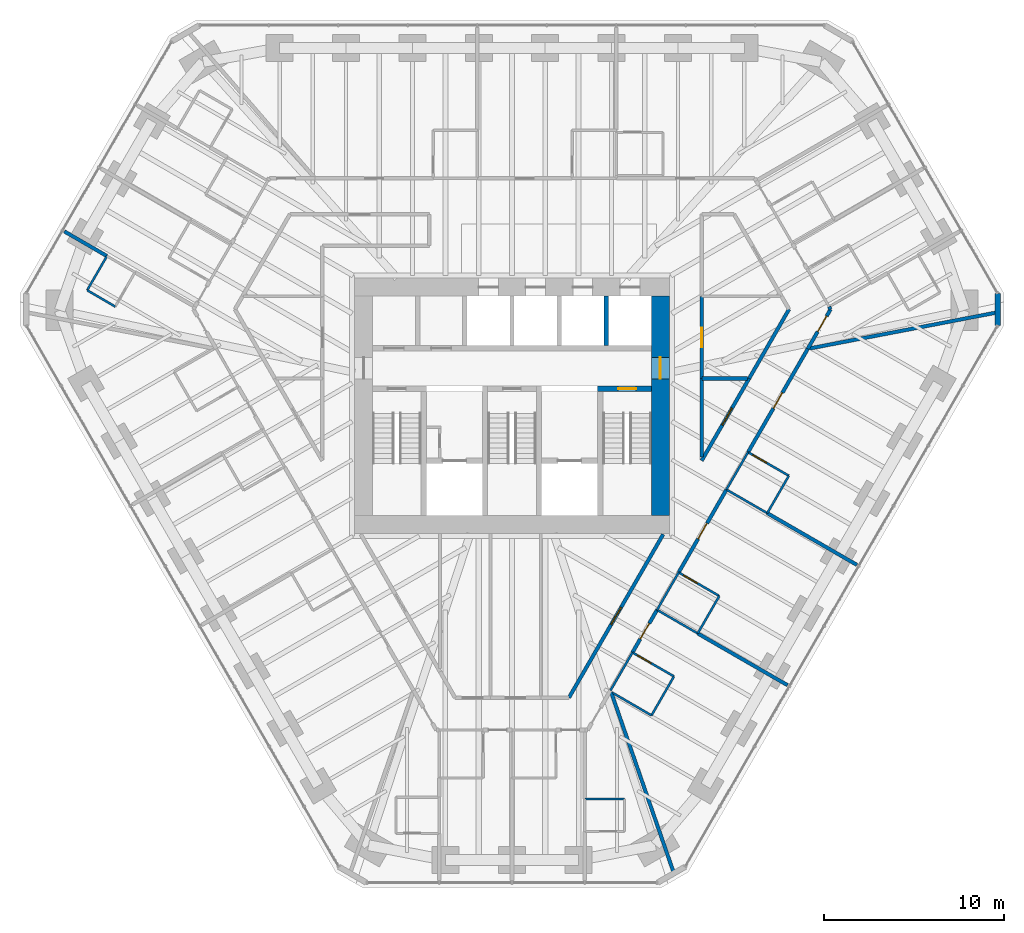
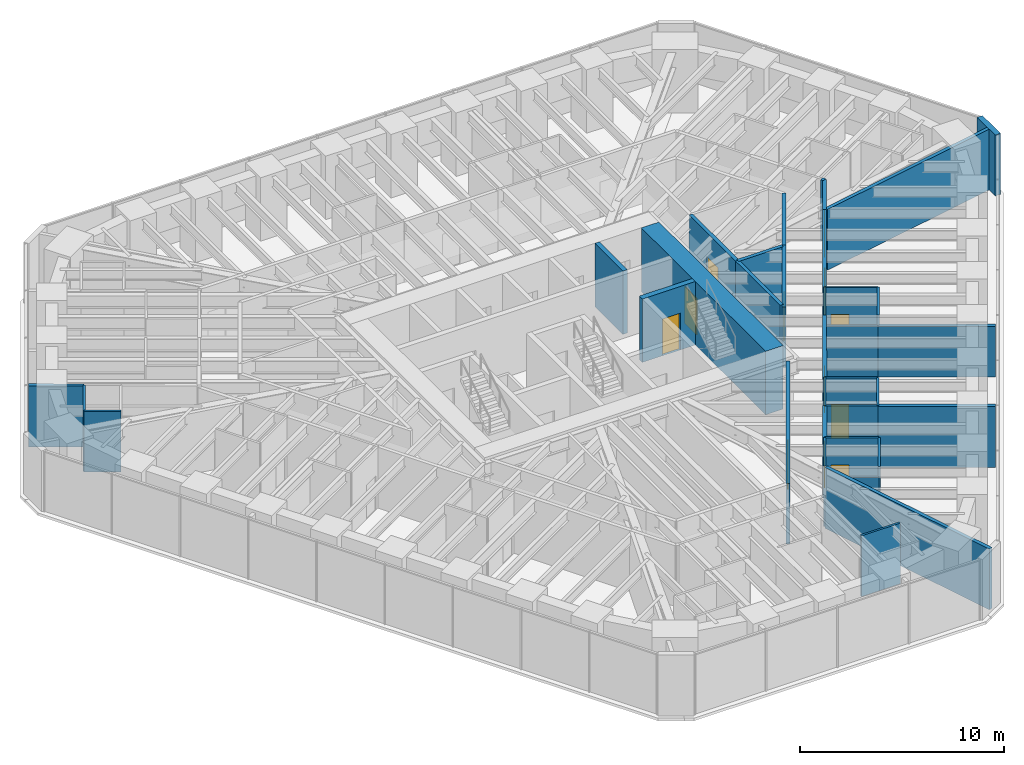
# One storey, part 13 of 17: 35 walls, 12 doors, 12 openings.
"""IFC4 building model written with IfcOpenShell, lengths in metres."""

from ifc_helpers import new_model, si_unit, direction, frame, frame_2d, origin, place, context, subcontext, project, spatial, rectangle, extrude, material, layer, layer_set, type_object, element, fill, save


model = new_model("IFC4")

# Units and contexts
model_context = context("Model", 3, precision=1e-05, world=origin(), true_north=direction((0.0, 1.0)))
body_context = subcontext(model_context, "Body", "Model", "MODEL_VIEW")
ifc_project = project(units=[si_unit("LENGTHUNIT", "METRE"), si_unit("AREAUNIT", "SQUARE_METRE"), si_unit("VOLUMEUNIT", "CUBIC_METRE"), si_unit("PLANEANGLEUNIT", "RADIAN"), si_unit("MASSUNIT", "GRAM", prefix="KILO")], contexts=[model_context])

# Site, building, storey
site_placement = place(None, origin())
site = spatial("IfcSite", under=ifc_project, at=site_placement, CompositionType="ELEMENT")
building_placement = place(site_placement, origin())
building = spatial("IfcBuilding", under=site, at=building_placement, Name="Sandreach Pilgrim Tower", CompositionType="ELEMENT")
storey_placement = place(building_placement, frame((0.0, 0.0, 198.39990234375)))
storey = spatial("IfcBuildingStorey", under=building, at=storey_placement, Name="L49", CompositionType="ELEMENT", Elevation=198.39990234375)

# Walls
ifc_material_1 = material(Name="Moisture-resistant gypsum board on steel studs", Category="steel")
ifc_layer_1 = layer(ifc_material_1, 0.1201171875)
ifc_layer_set_1 = layer_set([ifc_layer_1], Name="Bathroom partition 120")
wall_type_1 = type_object("IfcWallType", Name="Bathroom partition 120", PredefinedType="PARTITIONING", material=ifc_layer_set_1)
wall_1_placement = place(storey_placement, frame((-23.6298828125, 6.429931640625, 0.0), z_axis=(0.0, 0.0, 1.0), x_axis=(0.863773997337, -0.503879431535, 0.0)))
element("IfcWall", 1, at=wall_1_placement, inside=storey, type_object=wall_type_1, Name="Bathroom partition L49-003", PredefinedType="PARTITIONING", context=body_context, shape_type="SweptSolid", body=[
    extrude(rectangle(XDim=1.805908203125, YDim=0.1201171875, at=frame_2d((0.90283203125, 0.0))), origin(), (0.0, 0.0, 1.0), 3.64013671875),
])
wall_2_placement = place(storey_placement, frame((-22.530029296875, 8.330078125, 0.0), z_axis=(0.0, 0.0, 1.0), x_axis=(-0.500957366999, -0.865471961677, 0.0)))
element("IfcWall", 2, at=wall_2_placement, inside=storey, type_object=wall_type_1, Name="Bathroom partition L49-005", PredefinedType="PARTITIONING", context=body_context, shape_type="SweptSolid", body=[
    extrude(rectangle(XDim=2.195556640625, YDim=0.1201171875, at=frame_2d((1.09765625, 0.0))), origin(), (0.0, 0.0, 1.0), 3.64013671875),
])
wall_3_placement = place(storey_placement, frame((5.47998046875, -15.830078125, 0.0), z_axis=(0.0, 0.0, 1.0), x_axis=(0.501028373647, 0.865430857319, 0.0)))
element("IfcWall", 3, at=wall_3_placement, inside=storey, type_object=wall_type_1, Name="Bathroom partition L49-101", PredefinedType="PARTITIONING", context=body_context, shape_type="SweptSolid", body=[
    extrude(rectangle(XDim=2.437255859375, YDim=0.1201171875, at=frame_2d((1.21875, 0.0))), origin(), (0.0, 0.0, 1.0), 3.64013671875),
])
wall_4_placement = place(storey_placement, frame((5.615234375, -15.97509765625, 0.0), z_axis=(0.0, 0.0, 1.0), x_axis=(0.864873056518, -0.501990633487, 0.0)))
element("IfcWall", 4, at=wall_4_placement, inside=storey, type_object=wall_type_1, Name="Bathroom partition L49-103", PredefinedType="PARTITIONING", context=body_context, shape_type="SweptSolid", body=[
    extrude(rectangle(XDim=2.47998046875, YDim=0.1201171875, at=frame_2d((1.239990234375, 0.0))), origin(), (0.0, 0.0, 1.0), 3.0380859375),
])
wall_5_placement = place(storey_placement, frame((6.25, -21.8701171875, 0.0), z_axis=(0.0, 0.0, 1.0), x_axis=(-1.0, 0.0, 0.0)))
element("IfcWall", 5, at=wall_5_placement, inside=storey, type_object=wall_type_1, Name="Bathroom partition L49-111", PredefinedType="PARTITIONING", context=body_context, shape_type="SweptSolid", body=[
    extrude(rectangle(XDim=2.199951171875, YDim=0.1201171875, at=frame_2d((1.10009765625, 0.0))), origin(), (0.0, 0.0, 1.0), 3.64013671875),
])
wall_6_placement = place(storey_placement, frame((7.760009765625, -17.219970703125, 0.0), z_axis=(0.0, 0.0, 1.0), x_axis=(0.499159685399, 0.866510016372, 0.0)))
element("IfcWall", 6, at=wall_6_placement, inside=storey, type_object=wall_type_1, Name="Bathroom partition L49-112", PredefinedType="PARTITIONING", context=body_context, shape_type="SweptSolid", body=[
    extrude(rectangle(XDim=2.504150390625, YDim=0.1201171875, at=frame_2d((1.251953125, 0.0))), origin(), (0.0, 0.0, 1.0), 3.64013671875),
])
wall_7_placement = place(storey_placement, frame((8.070068359375, -11.35009765625, 0.0), z_axis=(0.0, 0.0, 1.0), x_axis=(0.499693115345, 0.866202511239, 0.0)))
element("IfcWall", 7, at=wall_7_placement, inside=storey, type_object=wall_type_1, Name="Bathroom partition L49-114", PredefinedType="PARTITIONING", context=body_context, shape_type="SweptSolid", body=[
    extrude(rectangle(XDim=2.4013671875, YDim=0.1201171875, at=frame_2d((1.20068359375, 0.0))), origin(), (0.0, 0.0, 1.0), 3.64013671875),
])
wall_8_placement = place(storey_placement, frame((8.070068359375, -11.35009765625, 0.0), z_axis=(0.0, 0.0, 1.0), x_axis=(0.865195830568, -0.501434118073, 0.0)))
element("IfcWall", 8, at=wall_8_placement, inside=storey, type_object=wall_type_1, Name="Bathroom partition L49-115", PredefinedType="PARTITIONING", context=body_context, shape_type="SweptSolid", body=[
    extrude(rectangle(XDim=2.612060546875, YDim=0.1201171875, at=frame_2d((1.30615234375, 0.0))), origin(), (0.0, 0.0, 1.0), 3.64013671875),
])

# Wall, opening, door
wall_9_placement = place(storey_placement, frame((9.010009765625, -15.050048828125, 0.0), z_axis=(0.0, 0.0, 1.0), x_axis=(-0.866615255992, 0.498976951453, 0.0)))
wall_9 = element("IfcWall", 9, at=wall_9_placement, inside=storey, type_object=wall_type_1, Name="Bathroom partition L49-119", PredefinedType="PARTITIONING", context=body_context, shape_type="SweptSolid", body=[
    extrude(rectangle(XDim=2.66552734375, YDim=0.1201171875, at=frame_2d((1.332763671875, 0.0))), origin(), (0.0, 0.0, 1.0), 3.64013671875),
])
opening_1_placement = place(wall_9_placement, frame((1.465576171875, 0.0, 0.0)))
opening_1 = element("IfcOpeningElement", 10, at=opening_1_placement, cuts=wall_9, Name="Opening D09-09B", PredefinedType="OPENING", context=body_context, shape_type="SweptSolid", body=[
    extrude(rectangle(XDim=0.89990234375, YDim=2.030029296875, at=frame_2d((0.449951171875, 1.01513671875))), frame((0.0, 0.06005859375, 0.0), z_axis=(0.0, -1.0, 0.0), x_axis=(1.0, 0.0, 0.0)), (0.0, 0.0, 1.0), 0.1201171875),
])
ifc_material_2 = material(Name="Timber door, steel frame", Category="steel")
door_type_1 = type_object("IfcDoorType", Name="Bathroom door", OperationType="SINGLE_SWING_LEFT", PredefinedType="DOOR", material=ifc_material_2)
door_1_placement = place(opening_1_placement, origin())
door_1 = element("IfcDoor", 11, at=door_1_placement, inside=storey, type_object=door_type_1, Name="Door 4909B", OperationType="SINGLE_SWING_RIGHT", OverallHeight=2.030029296875, OverallWidth=0.89990234375, PredefinedType="DOOR", context=body_context, shape_type="SweptSolid", body=[
    extrude(rectangle(XDim=0.89990234375, YDim=2.030029296875, at=frame_2d((0.449951171875, 1.01513671875))), frame((0.0, 0.02490234375, 0.0), z_axis=(0.0, -1.0, 0.0), x_axis=(1.0, 0.0, 0.0)), (0.0, 0.0, 1.0), 0.050048828125),
])
fill(opening_1, door_1)

# Wall
wall_10_placement = place(storey_placement, frame((10.330078125, -12.659912109375, 0.0), z_axis=(0.0, 0.0, 1.0), x_axis=(0.499737123639, 0.866177122335, 0.0)))
element("IfcWall", 12, at=wall_10_placement, inside=storey, type_object=wall_type_1, Name="Bathroom partition L49-121", PredefinedType="PARTITIONING", context=body_context, shape_type="SweptSolid", body=[
    extrude(rectangle(XDim=2.401123046875, YDim=0.1201171875, at=frame_2d((1.20068359375, 0.0))), origin(), (0.0, 0.0, 1.0), 3.64013671875),
])

# Wall, opening, door
wall_11_placement = place(storey_placement, frame((11.530029296875, -10.580078125, 0.0), z_axis=(0.0, 0.0, 1.0), x_axis=(-0.865155281359, 0.50150407689, 0.0)))
wall_11 = element("IfcWall", 13, at=wall_11_placement, inside=storey, type_object=wall_type_1, Name="Bathroom partition L49-128", PredefinedType="PARTITIONING", context=body_context, shape_type="SweptSolid", body=[
    extrude(rectangle(XDim=2.6123046875, YDim=0.1201171875, at=frame_2d((1.30615234375, 0.0))), origin(), (0.0, 0.0, 1.0), 3.64013671875),
])
opening_2_placement = place(wall_11_placement, frame((1.412109375, 0.0, 0.0)))
opening_2 = element("IfcOpeningElement", 14, at=opening_2_placement, cuts=wall_11, Name="Opening D09-08B", PredefinedType="OPENING", context=body_context, shape_type="SweptSolid", body=[
    extrude(rectangle(XDim=0.89990234375, YDim=2.030029296875, at=frame_2d((0.449951171875, 1.01513671875))), frame((0.0, 0.06005859375, 0.0), z_axis=(0.0, -1.0, 0.0), x_axis=(1.0, 0.0, 0.0)), (0.0, 0.0, 1.0), 0.1201171875),
])
door_2_placement = place(opening_2_placement, origin())
door_2 = element("IfcDoor", 15, at=door_2_placement, inside=storey, type_object=door_type_1, Name="Door 4908B", OperationType="SINGLE_SWING_RIGHT", OverallHeight=2.030029296875, OverallWidth=0.89990234375, PredefinedType="DOOR", context=body_context, shape_type="SweptSolid", body=[
    extrude(rectangle(XDim=0.89990234375, YDim=2.030029296875, at=frame_2d((0.449951171875, 1.01513671875))), frame((0.0, 0.02490234375, 0.0), z_axis=(0.0, -1.0, 0.0), x_axis=(1.0, 0.0, 0.0)), (0.0, 0.0, 1.0), 0.050048828125),
])
fill(opening_2, door_2)

# Walls
wall_12_placement = place(storey_placement, frame((11.927734375, -4.65869140625, 0.0), z_axis=(0.0, 0.0, 1.0), x_axis=(0.500643444581, 0.865653592032, 0.0)))
element("IfcWall", 16, at=wall_12_placement, inside=storey, type_object=wall_type_1, Name="Bathroom partition L49-129", PredefinedType="PARTITIONING", context=body_context, shape_type="SweptSolid", body=[
    extrude(rectangle(XDim=2.401123046875, YDim=0.1201171875, at=frame_2d((1.20068359375, 0.0))), origin(), (0.0, 0.0, 1.0), 3.64013671875),
])
wall_13_placement = place(storey_placement, frame((11.929931640625, -4.659912109375, 0.0), z_axis=(0.0, 0.0, 1.0), x_axis=(0.865969958829, -0.500096021185, 0.0)))
element("IfcWall", 17, at=wall_13_placement, inside=storey, type_object=wall_type_1, Name="Bathroom partition L49-130", PredefinedType="PARTITIONING", context=body_context, shape_type="SweptSolid", body=[
    extrude(rectangle(XDim=2.62109375, YDim=0.1201171875, at=frame_2d((1.310546875, 0.0))), origin(), (0.0, 0.0, 1.0), 3.0380859375),
])
wall_14_placement = place(storey_placement, frame((14.199951171875, -5.969970703125, 0.0), z_axis=(0.0, 0.0, 1.0), x_axis=(0.499737123639, 0.866177122335, 0.0)))
element("IfcWall", 18, at=wall_14_placement, inside=storey, type_object=wall_type_1, Name="Bathroom partition L49-138", PredefinedType="PARTITIONING", context=body_context, shape_type="SweptSolid", body=[
    extrude(rectangle(XDim=2.401123046875, YDim=0.1201171875, at=frame_2d((1.20068359375, 0.0))), origin(), (0.0, 0.0, 1.0), 3.64013671875),
])

# Wall, opening, door
wall_15_placement = place(storey_placement, frame((15.39990234375, -3.889892578125, 0.0), z_axis=(0.0, 0.0, 1.0), x_axis=(-0.866154567199, 0.49977621564, 0.0)))
wall_15 = element("IfcWall", 19, at=wall_15_placement, inside=storey, type_object=wall_type_1, Name="Bathroom partition L49-142", PredefinedType="PARTITIONING", context=body_context, shape_type="SweptSolid", body=[
    extrude(rectangle(XDim=2.620849609375, YDim=0.1201171875, at=frame_2d((1.310546875, 0.0))), origin(), (0.0, 0.0, 1.0), 3.64013671875),
])
opening_3_placement = place(wall_15_placement, frame((1.4208984375, 0.0, 0.0)))
opening_3 = element("IfcOpeningElement", 20, at=opening_3_placement, cuts=wall_15, Name="Opening D09-07B", PredefinedType="OPENING", context=body_context, shape_type="SweptSolid", body=[
    extrude(rectangle(XDim=0.89990234375, YDim=2.030029296875, at=frame_2d((0.449951171875, 1.01513671875))), frame((0.0, 0.06005859375, 0.0), z_axis=(0.0, -1.0, 0.0), x_axis=(1.0, 0.0, 0.0)), (0.0, 0.0, 1.0), 0.1201171875),
])
door_3_placement = place(opening_3_placement, origin())
door_3 = element("IfcDoor", 21, at=door_3_placement, inside=storey, type_object=door_type_1, Name="Door 4907B", OperationType="SINGLE_SWING_RIGHT", OverallHeight=2.030029296875, OverallWidth=0.89990234375, PredefinedType="DOOR", context=body_context, shape_type="SweptSolid", body=[
    extrude(rectangle(XDim=0.89990234375, YDim=2.030029296875, at=frame_2d((0.449951171875, 1.01513671875))), frame((0.0, 0.02490234375, 0.0), z_axis=(0.0, -1.0, 0.0), x_axis=(1.0, 0.0, 0.0)), (0.0, 0.0, 1.0), 0.050048828125),
])
fill(opening_3, door_3)

ifc_material_3 = material(Name="Concrete 10000 psi", Category="concrete")
ifc_layer_2 = layer(ifc_material_3, 0.300048828125)
ifc_layer_set_2 = layer_set([ifc_layer_2], Name="Core inner wall 300")
wall_type_2 = type_object("IfcWallType", Name="Core inner wall 300", PredefinedType="SHEAR", material=ifc_layer_set_2)
wall_16_placement = place(storey_placement, frame((4.75, 0.949951171875, 0.0), z_axis=(0.0, 0.0, 1.0), x_axis=(1.0, 0.0, 0.0)))
wall_16 = element("IfcWall", 22, at=wall_16_placement, inside=storey, type_object=wall_type_2, Name="Core wall SN2 L49", PredefinedType="SHEAR", context=body_context, shape_type="SweptSolid", body=[
    extrude(rectangle(XDim=3.0, YDim=0.300048828125, at=frame_2d((1.5, 0.0))), origin(), (0.0, 0.0, 1.0), 3.800048828125),
])
opening_4_placement = place(wall_16_placement, frame((1.14990234375, 0.0, 0.0)))
opening_4 = element("IfcOpeningElement", 23, at=opening_4_placement, cuts=wall_16, Name="Opening D10S-ST2", PredefinedType="OPENING", context=body_context, shape_type="SweptSolid", body=[
    extrude(rectangle(XDim=1.0, YDim=2.199951171875, at=frame_2d((0.5, 1.10009765625))), frame((0.0, 0.14990234375, 0.0), z_axis=(0.0, -1.0, 0.0), x_axis=(1.0, 0.0, 0.0)), (0.0, 0.0, 1.0), 0.300048828125),
])
ifc_material_4 = material(Name="Steel door and frame", Category="steel")
door_type_2 = type_object("IfcDoorType", Name="Stair door", OperationType="SINGLE_SWING_LEFT", PredefinedType="DOOR", material=ifc_material_4)
door_4_placement = place(opening_4_placement, origin())
door_4 = element("IfcDoor", 24, at=door_4_placement, inside=storey, type_object=door_type_2, Name="Stair door ST2 L49", OperationType="SINGLE_SWING_RIGHT", OverallHeight=2.199951171875, OverallWidth=1.0, PredefinedType="DOOR", context=body_context, shape_type="SweptSolid", body=[
    extrude(rectangle(XDim=1.0, YDim=2.199951171875, at=frame_2d((0.5, 1.10009765625))), frame((0.0, 0.02490234375, 0.0), z_axis=(0.0, -1.0, 0.0), x_axis=(1.0, 0.0, 0.0)), (0.0, 0.0, 1.0), 0.050048828125),
])
fill(opening_4, door_4)

ifc_material_5 = material(Name="Concrete 10000 psi", Category="concrete")
ifc_layer_3 = layer(ifc_material_5, 1.0)
ifc_layer_set_3 = layer_set([ifc_layer_3], Name="Core wall 1000")
wall_type_3 = type_object("IfcWallType", Name="Core wall 1000", PredefinedType="SHEAR", material=ifc_layer_set_3)
wall_17_placement = place(storey_placement, frame((8.25, -6.10009765625, 0.0), z_axis=(0.0, 0.0, 1.0), x_axis=(0.0, 1.0, 0.0)))
wall_17 = element("IfcWall", 25, at=wall_17_placement, inside=storey, type_object=wall_type_3, Name="Core wall E L49", PredefinedType="SHEAR", context=body_context, shape_type="SweptSolid", body=[
    extrude(rectangle(XDim=12.2001953125, YDim=1.0, at=frame_2d((6.10009765625, 0.0))), origin(), (0.0, 0.0, 1.0), 3.800048828125),
])
opening_5_placement = place(wall_17_placement, frame((7.60009765625, 0.0, 0.0)))
opening_5 = element("IfcOpeningElement", 26, at=opening_5_placement, cuts=wall_17, Name="Opening D12F-E", PredefinedType="OPENING", context=body_context, shape_type="SweptSolid", body=[
    extrude(rectangle(XDim=1.199951171875, YDim=2.199951171875, at=frame_2d((0.60009765625, 1.10009765625))), frame((0.0, 0.5, 0.0), z_axis=(0.0, -1.0, 0.0), x_axis=(1.0, 0.0, 0.0)), (0.0, 0.0, 1.0), 1.0),
])
ifc_material_6 = material(Name="Steel door and frame", Category="steel")
door_type_3 = type_object("IfcDoorType", Name="Fire lobby door", OperationType="SINGLE_SWING_LEFT", PredefinedType="DOOR", material=ifc_material_6)
door_5_placement = place(opening_5_placement, origin())
door_5 = element("IfcDoor", 27, at=door_5_placement, inside=storey, type_object=door_type_3, Name="Fire service lobby door E L49", OperationType="SINGLE_SWING_RIGHT", OverallHeight=2.199951171875, OverallWidth=1.199951171875, PredefinedType="DOOR", context=body_context, shape_type="SweptSolid", body=[
    extrude(rectangle(XDim=1.199951171875, YDim=2.199951171875, at=frame_2d((0.60009765625, 1.10009765625))), frame((0.0, 0.02490234375, 0.0), z_axis=(0.0, -1.0, 0.0), x_axis=(1.0, 0.0, 0.0)), (0.0, 0.0, 1.0), 0.050048828125),
])
fill(opening_5, door_5)

ifc_material_7 = material(Name="Gypsum board on steel studs, two layers each side", Category="steel")
ifc_layer_4 = layer(ifc_material_7, 0.199951171875)
ifc_layer_set_4 = layer_set([ifc_layer_4], Name="Corridor wall 200")
wall_type_4 = type_object("IfcWallType", Name="Corridor wall 200", PredefinedType="PARTITIONING", material=ifc_layer_set_4)
wall_18_placement = place(storey_placement, frame((8.06884765625, -11.349365234375, 0.0), z_axis=(0.0, 0.0, 1.0), x_axis=(-0.499611785355, -0.866249423627, 0.0)))
wall_18 = element("IfcWall", 28, at=wall_18_placement, inside=storey, type_object=wall_type_4, Name="Corridor wall L49-113", PredefinedType="PARTITIONING", context=body_context, shape_type="SweptSolid", body=[
    extrude(rectangle(XDim=2.737548828125, YDim=0.199951171875, at=frame_2d((1.36865234375, 0.0))), origin(), (0.0, 0.0, 1.0), 3.64013671875),
])
opening_6_placement = place(wall_18_placement, frame((0.868896484375, 0.0, 0.0)))
opening_6 = element("IfcOpeningElement", 29, at=opening_6_placement, cuts=wall_18, Name="Opening D10-09", PredefinedType="OPENING", context=body_context, shape_type="SweptSolid", body=[
    extrude(rectangle(XDim=1.0, YDim=2.1298828125, at=frame_2d((0.5, 1.06494140625))), frame((0.0, 0.10009765625, 0.0), z_axis=(0.0, -1.0, 0.0), x_axis=(1.0, 0.0, 0.0)), (0.0, 0.0, 1.0), 0.199951171875),
])
ifc_material_8 = material(Name="Steel door and frame", Category="steel")
door_type_4 = type_object("IfcDoorType", Name="Guest room entry door", OperationType="SINGLE_SWING_LEFT", PredefinedType="DOOR", material=ifc_material_8)
door_6_placement = place(opening_6_placement, origin())
door_6 = element("IfcDoor", 30, at=door_6_placement, inside=storey, type_object=door_type_4, Name="Door 4909", OperationType="SINGLE_SWING_LEFT", OverallHeight=2.1298828125, OverallWidth=1.0, PredefinedType="DOOR", context=body_context, shape_type="SweptSolid", body=[
    extrude(rectangle(XDim=1.0, YDim=2.1298828125, at=frame_2d((0.5, 1.06494140625))), frame((0.0, 0.02490234375, 0.0), z_axis=(0.0, -1.0, 0.0), x_axis=(1.0, 0.0, 0.0)), (0.0, 0.0, 1.0), 0.050048828125),
])
fill(opening_6, door_6)

wall_19_placement = place(storey_placement, frame((8.409912109375, -7.14990234375, 0.0), z_axis=(0.0, 0.0, 1.0), x_axis=(-0.499828628176, -0.866124322748, 0.0)))
wall_19 = element("IfcWall", 31, at=wall_19_placement, inside=storey, type_object=wall_type_4, Name="Corridor wall L49-118", PredefinedType="PARTITIONING", context=body_context, shape_type="SweptSolid", body=[
    extrude(rectangle(XDim=10.483642578125, YDim=0.199951171875, at=frame_2d((5.24169921875, 0.0))), origin(), (0.0, 0.0, 1.0), 3.64013671875),
])
opening_7_placement = place(wall_19_placement, frame((4.691650390625, 0.0, 0.0)))
opening_7 = element("IfcOpeningElement", 32, at=opening_7_placement, cuts=wall_19, Name="Opening D11H-S4", PredefinedType="OPENING", context=body_context, shape_type="SweptSolid", body=[
    extrude(rectangle(XDim=1.10009765625, YDim=2.199951171875, at=frame_2d((0.550048828125, 1.10009765625))), frame((0.0, 0.10009765625, 0.0), z_axis=(0.0, -1.0, 0.0), x_axis=(1.0, 0.0, 0.0)), (0.0, 0.0, 1.0), 0.199951171875),
])
ifc_material_9 = material(Name="Steel door and frame", Category="steel")
door_type_5 = type_object("IfcDoorType", Name="Back of house door", OperationType="SINGLE_SWING_LEFT", PredefinedType="DOOR", material=ifc_material_9)
door_7_placement = place(opening_7_placement, origin())
door_7 = element("IfcDoor", 33, at=door_7_placement, inside=storey, type_object=door_type_5, Name="Door 49S4", OperationType="SINGLE_SWING_LEFT", OverallHeight=2.199951171875, OverallWidth=1.10009765625, PredefinedType="DOOR", context=body_context, shape_type="SweptSolid", body=[
    extrude(rectangle(XDim=1.10009765625, YDim=2.199951171875, at=frame_2d((0.550048828125, 1.10009765625))), frame((0.0, 0.02490234375, 0.0), z_axis=(0.0, -1.0, 0.0), x_axis=(1.0, 0.0, 0.0)), (0.0, 0.0, 1.0), 0.050048828125),
])
fill(opening_7, door_7)

wall_20_placement = place(storey_placement, frame((9.27001953125, -9.27001953125, 0.0), z_axis=(0.0, 0.0, 1.0), x_axis=(0.499755544815, 0.866166494057, 0.0)))
wall_20 = element("IfcWall", 34, at=wall_20_placement, inside=storey, type_object=wall_type_4, Name="Corridor wall L49-120", PredefinedType="PARTITIONING", context=body_context, shape_type="SweptSolid", body=[
    extrude(rectangle(XDim=5.322509765625, YDim=0.199951171875, at=frame_2d((2.6611328125, 0.0))), origin(), (0.0, 0.0, 1.0), 3.64013671875),
])
opening_8_placement = place(wall_20_placement, frame((2.1611328125, 0.0, 0.0)))
opening_8 = element("IfcOpeningElement", 35, at=opening_8_placement, cuts=wall_20, Name="Opening D10-08", PredefinedType="OPENING", context=body_context, shape_type="SweptSolid", body=[
    extrude(rectangle(XDim=1.0, YDim=2.1298828125, at=frame_2d((0.5, 1.06494140625))), frame((0.0, 0.10009765625, 0.0), z_axis=(0.0, -1.0, 0.0), x_axis=(1.0, 0.0, 0.0)), (0.0, 0.0, 1.0), 0.199951171875),
])
door_8_placement = place(opening_8_placement, origin())
door_8 = element("IfcDoor", 36, at=door_8_placement, inside=storey, type_object=door_type_4, Name="Door 4908", OperationType="SINGLE_SWING_LEFT", OverallHeight=2.1298828125, OverallWidth=1.0, PredefinedType="DOOR", context=body_context, shape_type="SweptSolid", body=[
    extrude(rectangle(XDim=1.0, YDim=2.1298828125, at=frame_2d((0.5, 1.06494140625))), frame((0.0, 0.02490234375, 0.0), z_axis=(0.0, -1.0, 0.0), x_axis=(1.0, 0.0, 0.0)), (0.0, 0.0, 1.0), 0.050048828125),
])
fill(opening_8, door_8)

# Wall
wall_21_placement = place(storey_placement, frame((10.550048828125, -2.85498046875, 0.0), z_axis=(0.0, 0.0, 1.0), x_axis=(0.0, 1.0, 0.0)))
element("IfcWall", 37, at=wall_21_placement, inside=storey, type_object=wall_type_4, Name="Corridor wall L49-123", PredefinedType="PARTITIONING", context=body_context, shape_type="SweptSolid", body=[
    extrude(rectangle(XDim=4.375, YDim=0.199951171875, at=frame_2d((2.1875, 0.0))), origin(), (0.0, 0.0, 1.0), 3.64013671875),
])

# Wall, opening, door
wall_22_placement = place(storey_placement, frame((10.550048828125, 1.52001953125, 0.0), z_axis=(0.0, 0.0, 1.0), x_axis=(0.0, 1.0, 0.0)))
wall_22 = element("IfcWall", 38, at=wall_22_placement, inside=storey, type_object=wall_type_4, Name="Corridor wall L49-124", PredefinedType="PARTITIONING", context=body_context, shape_type="SweptSolid", body=[
    extrude(rectangle(XDim=4.570068359375, YDim=0.199951171875, at=frame_2d((2.28515625, 0.0))), origin(), (0.0, 0.0, 1.0), 3.64013671875),
])
opening_9_placement = place(wall_22_placement, frame((1.735107421875, 0.0, 0.0)))
opening_9 = element("IfcOpeningElement", 39, at=opening_9_placement, cuts=wall_22, Name="Opening D11H-M06", PredefinedType="OPENING", context=body_context, shape_type="SweptSolid", body=[
    extrude(rectangle(XDim=1.10009765625, YDim=2.199951171875, at=frame_2d((0.550048828125, 1.10009765625))), frame((0.0, 0.10009765625, 0.0), z_axis=(0.0, -1.0, 0.0), x_axis=(1.0, 0.0, 0.0)), (0.0, 0.0, 1.0), 0.199951171875),
])
door_9_placement = place(opening_9_placement, origin())
door_9 = element("IfcDoor", 40, at=door_9_placement, inside=storey, type_object=door_type_5, Name="Door 49M06", OperationType="SINGLE_SWING_LEFT", OverallHeight=2.199951171875, OverallWidth=1.10009765625, PredefinedType="DOOR", context=body_context, shape_type="SweptSolid", body=[
    extrude(rectangle(XDim=1.10009765625, YDim=2.199951171875, at=frame_2d((0.550048828125, 1.10009765625))), frame((0.0, 0.02490234375, 0.0), z_axis=(0.0, -1.0, 0.0), x_axis=(1.0, 0.0, 0.0)), (0.0, 0.0, 1.0), 0.050048828125),
])
fill(opening_9, door_9)

wall_23_placement = place(storey_placement, frame((13.1298828125, -2.580078125, 0.0), z_axis=(0.0, 0.0, 1.0), x_axis=(0.500148944124, 0.865939393775, 0.0)))
wall_23 = element("IfcWall", 41, at=wall_23_placement, inside=storey, type_object=wall_type_4, Name="Corridor wall L49-132", PredefinedType="PARTITIONING", context=body_context, shape_type="SweptSolid", body=[
    extrude(rectangle(XDim=6.6396484375, YDim=0.199951171875, at=frame_2d((3.31982421875, 0.0))), origin(), (0.0, 0.0, 1.0), 3.64013671875),
])
opening_10_placement = place(wall_23_placement, frame((2.81982421875, 0.0, 0.0)))
opening_10 = element("IfcOpeningElement", 42, at=opening_10_placement, cuts=wall_23, Name="Opening D10-07", PredefinedType="OPENING", context=body_context, shape_type="SweptSolid", body=[
    extrude(rectangle(XDim=1.0, YDim=2.1298828125, at=frame_2d((0.5, 1.06494140625))), frame((0.0, 0.10009765625, 0.0), z_axis=(0.0, -1.0, 0.0), x_axis=(1.0, 0.0, 0.0)), (0.0, 0.0, 1.0), 0.199951171875),
])
door_10_placement = place(opening_10_placement, origin())
door_10 = element("IfcDoor", 43, at=door_10_placement, inside=storey, type_object=door_type_4, Name="Door 4907", OperationType="SINGLE_SWING_LEFT", OverallHeight=2.1298828125, OverallWidth=1.0, PredefinedType="DOOR", context=body_context, shape_type="SweptSolid", body=[
    extrude(rectangle(XDim=1.0, YDim=2.1298828125, at=frame_2d((0.5, 1.06494140625))), frame((0.0, 0.02490234375, 0.0), z_axis=(0.0, -1.0, 0.0), x_axis=(1.0, 0.0, 0.0)), (0.0, 0.0, 1.0), 0.050048828125),
])
fill(opening_10, door_10)

wall_24_placement = place(storey_placement, frame((13.18994140625, 1.52001953125, 0.0), z_axis=(0.0, 0.0, 1.0), x_axis=(-0.500193590286, -0.865913605527, 0.0)))
wall_24 = element("IfcWall", 44, at=wall_24_placement, inside=storey, type_object=wall_type_4, Name="Corridor wall L49-133", PredefinedType="PARTITIONING", context=body_context, shape_type="SweptSolid", body=[
    extrude(rectangle(XDim=5.27783203125, YDim=0.199951171875, at=frame_2d((2.638916015625, 0.0))), origin(), (0.0, 0.0, 1.0), 3.64013671875),
])
opening_11_placement = place(wall_24_placement, frame((1.89990234375, 0.0, 0.0)))
opening_11 = element("IfcOpeningElement", 45, at=opening_11_placement, cuts=wall_24, Name="Opening D11H-M04", PredefinedType="OPENING", context=body_context, shape_type="SweptSolid", body=[
    extrude(rectangle(XDim=1.10009765625, YDim=2.199951171875, at=frame_2d((0.550048828125, 1.10009765625))), frame((0.0, 0.10009765625, 0.0), z_axis=(0.0, -1.0, 0.0), x_axis=(1.0, 0.0, 0.0)), (0.0, 0.0, 1.0), 0.199951171875),
])
door_11_placement = place(opening_11_placement, origin())
door_11 = element("IfcDoor", 46, at=door_11_placement, inside=storey, type_object=door_type_5, Name="Door 49M04", OperationType="SINGLE_SWING_LEFT", OverallHeight=2.199951171875, OverallWidth=1.10009765625, PredefinedType="DOOR", context=body_context, shape_type="SweptSolid", body=[
    extrude(rectangle(XDim=1.10009765625, YDim=2.199951171875, at=frame_2d((0.550048828125, 1.10009765625))), frame((0.0, 0.02490234375, 0.0), z_axis=(0.0, -1.0, 0.0), x_axis=(1.0, 0.0, 0.0)), (0.0, 0.0, 1.0), 0.050048828125),
])
fill(opening_11, door_11)

# Wall
wall_25_placement = place(storey_placement, frame((15.409912109375, 5.3701171875, 0.0), z_axis=(0.0, 0.0, 1.0), x_axis=(-0.499513190454, -0.866306281036, 0.0)))
element("IfcWall", 47, at=wall_25_placement, inside=storey, type_object=wall_type_4, Name="Corridor wall L49-143", PredefinedType="PARTITIONING", context=body_context, shape_type="SweptSolid", body=[
    extrude(rectangle(XDim=4.4443359375, YDim=0.199951171875, at=frame_2d((2.22216796875, 0.0))), origin(), (0.0, 0.0, 1.0), 3.64013671875),
])

# Wall, opening, door
wall_26_placement = place(storey_placement, frame((16.449951171875, 3.169921875, 0.0), z_axis=(0.0, 0.0, 1.0), x_axis=(0.499922110319, 0.866070368743, 0.0)))
wall_26 = element("IfcWall", 48, at=wall_26_placement, inside=storey, type_object=wall_type_4, Name="Corridor wall L49-146", PredefinedType="PARTITIONING", context=body_context, shape_type="SweptSolid", body=[
    extrude(rectangle(XDim=2.54052734375, YDim=0.199951171875, at=frame_2d((1.270263671875, 0.0))), origin(), (0.0, 0.0, 1.0), 3.64013671875),
])
opening_12_placement = place(wall_26_placement, frame((1.10009765625, 0.0, 0.0)))
opening_12 = element("IfcOpeningElement", 49, at=opening_12_placement, cuts=wall_26, Name="Opening D10-06", PredefinedType="OPENING", context=body_context, shape_type="SweptSolid", body=[
    extrude(rectangle(XDim=1.0, YDim=2.1298828125, at=frame_2d((0.5, 1.06494140625))), frame((0.0, 0.10009765625, 0.0), z_axis=(0.0, -1.0, 0.0), x_axis=(1.0, 0.0, 0.0)), (0.0, 0.0, 1.0), 0.199951171875),
])
door_12_placement = place(opening_12_placement, origin())
door_12 = element("IfcDoor", 50, at=door_12_placement, inside=storey, type_object=door_type_4, Name="Door 4906", OperationType="SINGLE_SWING_RIGHT", OverallHeight=2.1298828125, OverallWidth=1.0, PredefinedType="DOOR", context=body_context, shape_type="SweptSolid", body=[
    extrude(rectangle(XDim=1.0, YDim=2.1298828125, at=frame_2d((0.5, 1.06494140625))), frame((0.0, 0.02490234375, 0.0), z_axis=(0.0, -1.0, 0.0), x_axis=(1.0, 0.0, 0.0)), (0.0, 0.0, 1.0), 0.050048828125),
])
fill(opening_12, door_12)

# Walls
wall_27_placement = place(storey_placement, frame((17.719970703125, 5.3701171875, 0.0), z_axis=(0.0, 0.0, 1.0), x_axis=(-0.540386452408, 0.841416948994, 0.0)))
element("IfcWall", 51, at=wall_27_placement, inside=storey, type_object=wall_type_4, Name="Corridor wall L49-150", PredefinedType="PARTITIONING", context=body_context, shape_type="SweptSolid", body=[
    extrude(rectangle(XDim=0.166259765625, YDim=0.199951171875, at=frame_2d((0.0830078125, 0.0))), origin(), (0.0, 0.0, 1.0), 3.64013671875),
])
ifc_material_10 = material(Name="Double steel stud acoustic wall, gypsum board", Category="steel")
ifc_layer_5 = layer(ifc_material_10, 0.199951171875)
ifc_layer_set_5 = layer_set([ifc_layer_5], Name="Party wall 200")
wall_type_5 = type_object("IfcWallType", Name="Party wall 200", PredefinedType="PARTITIONING", material=ifc_layer_set_5)
wall_28_placement = place(storey_placement, frame((-24.896240234375, 9.699951171875, 0.0), z_axis=(0.0, 0.0, 1.0), x_axis=(0.865432398871, -0.501025710902, 0.0)))
element("IfcWall", 52, at=wall_28_placement, inside=storey, type_object=wall_type_5, Name="Party wall L49-002", PredefinedType="PARTITIONING", context=body_context, shape_type="SweptSolid", body=[
    extrude(rectangle(XDim=2.734130859375, YDim=0.199951171875, at=frame_2d((1.3671875, 0.0))), origin(), (0.0, 0.0, 1.0), 3.64013671875),
])
wall_29_placement = place(storey_placement, frame((5.515380859375, -15.93212890625, 0.0), z_axis=(0.0, 0.0, 1.0), x_axis=(0.327594697431, -0.944818349851, 0.0)))
element("IfcWall", 53, at=wall_29_placement, inside=storey, type_object=wall_type_5, Name="Party wall L49-102", PredefinedType="PARTITIONING", context=body_context, shape_type="SweptSolid", body=[
    extrude(rectangle(XDim=10.668212890625, YDim=0.199951171875, at=frame_2d((5.333984375, 0.0))), origin(), (0.0, 0.0, 1.0), 3.64013671875),
])
wall_30_placement = place(storey_placement, frame((10.330078125, -12.659912109375, 0.0), z_axis=(0.0, 0.0, 1.0), x_axis=(0.866342721203, -0.499449986905, 0.0)))
element("IfcWall", 54, at=wall_30_placement, inside=storey, type_object=wall_type_5, Name="Party wall L49-122", PredefinedType="PARTITIONING", context=body_context, shape_type="SweptSolid", body=[
    extrude(rectangle(XDim=5.7666015625, YDim=0.199951171875, at=frame_2d((2.88330078125, 0.0))), origin(), (0.0, 0.0, 1.0), 3.64013671875),
])
wall_31_placement = place(storey_placement, frame((10.56005859375, 1.52001953125, 0.0), z_axis=(0.0, 0.0, 1.0), x_axis=(1.0, 0.0, 0.0)))
element("IfcWall", 55, at=wall_31_placement, inside=storey, type_object=wall_type_5, Name="Party wall L49-126", PredefinedType="PARTITIONING", context=body_context, shape_type="SweptSolid", body=[
    extrude(rectangle(XDim=2.550048828125, YDim=0.199951171875, at=frame_2d((1.27490234375, 0.0))), origin(), (0.0, 0.0, 1.0), 3.64013671875),
])
wall_32_placement = place(storey_placement, frame((14.19970703125, -5.970703125, 0.0), z_axis=(0.0, 0.0, 1.0), x_axis=(0.86600340545, -0.500038100297, 0.0)))
element("IfcWall", 56, at=wall_32_placement, inside=storey, type_object=wall_type_5, Name="Party wall L49-137", PredefinedType="PARTITIONING", context=body_context, shape_type="SweptSolid", body=[
    extrude(rectangle(XDim=5.7578125, YDim=0.199951171875, at=frame_2d((2.87890625, 0.0))), origin(), (0.0, 0.0, 1.0), 3.0380859375),
])
wall_33_placement = place(storey_placement, frame((16.548095703125, 3.18896484375, 0.0), z_axis=(0.0, 0.0, 1.0), x_axis=(0.982047984466, 0.188631270488, 0.0)))
element("IfcWall", 57, at=wall_33_placement, inside=storey, type_object=wall_type_5, Name="Party wall L49-147", PredefinedType="PARTITIONING", context=body_context, shape_type="SweptSolid", body=[
    extrude(rectangle(XDim=10.684326171875, YDim=0.199951171875, at=frame_2d((5.34228515625, 0.0))), origin(), (0.0, 0.0, 1.0), 3.64013671875),
])
ifc_material_11 = material(Name="Gypsum shaft wall on steel studs, two layers of shaft liner board", Category="steel")
ifc_layer_6 = layer(ifc_material_11, 0.25)
ifc_layer_set_6 = layer_set([ifc_layer_6], Name="Shaft partition 250")
wall_type_6 = type_object("IfcWallType", Name="Shaft partition 250", PredefinedType="PARTITIONING", material=ifc_layer_set_6)
wall_34_placement = place(storey_placement, frame((5.25, 3.35009765625, 0.0), z_axis=(0.0, 0.0, 1.0), x_axis=(0.0, 1.0, 0.0)))
element("IfcWall", 58, at=wall_34_placement, inside=storey, type_object=wall_type_6, Name="Shaft partition NS4 L49", PredefinedType="PARTITIONING", context=body_context, shape_type="SweptSolid", body=[
    extrude(rectangle(XDim=2.75, YDim=0.25, at=frame_2d((1.375, 0.0))), origin(), (0.0, 0.0, 1.0), 3.800048828125),
])
ifc_material_12 = material(Name="Terracotta rainscreen on concrete", Category="masonry")
ifc_layer_7 = layer(ifc_material_12, 0.300048828125)
ifc_layer_set_7 = layer_set([ifc_layer_7], Name="Terracotta chamfer pier")
wall_type_7 = type_object("IfcWallType", Name="Terracotta chamfer pier", PredefinedType="SOLIDWALL", material=ifc_layer_set_7)
wall_35_placement = place(storey_placement, frame((27.02001953125, 6.25, 0.0), z_axis=(0.0, 0.0, 1.0), x_axis=(0.0, -1.0, 0.0)))
element("IfcWall", 59, at=wall_35_placement, inside=storey, type_object=wall_type_7, Name="Chamfer pier L49 NE", PredefinedType="SOLIDWALL", context=body_context, shape_type="SweptSolid", body=[
    extrude(rectangle(XDim=1.77001953125, YDim=0.300048828125, at=frame_2d((0.885009765625, 0.0))), origin(), (0.0, 0.0, 1.0), 3.64013671875),
])

save(model, "model.ifc")
